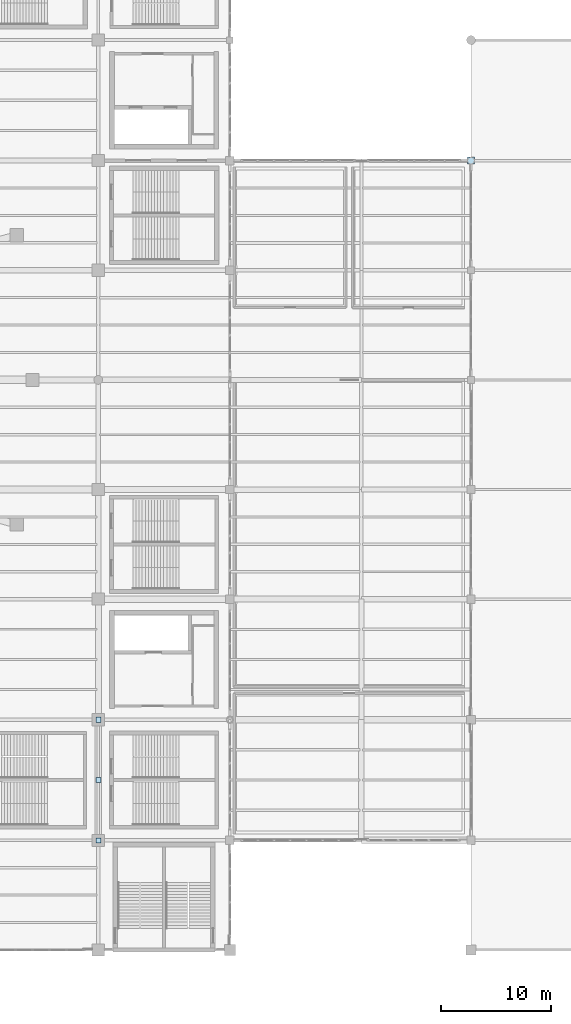
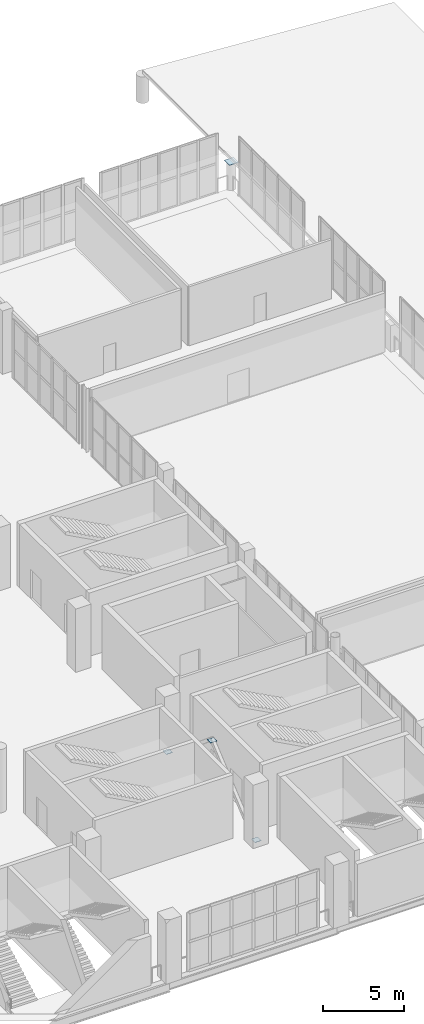
# One storey, part 106 of 136: 4 plates.
"""IFC4 building model written with IfcOpenShell, lengths in metres."""

from ifc_helpers import new_model, si_unit, direction, frame, origin, origin_2d, place, context, subcontext, project, spatial, rectangle, extrude, material, layer, layer_set, type_object, element, save


model = new_model("IFC4")

# Units and contexts
model_context = context("Model", 3, precision=1e-05, world=origin(), true_north=direction((0.0, 1.0)))
body_context = subcontext(model_context, "Body", "Model", "MODEL_VIEW")
ifc_project = project(units=[si_unit("LENGTHUNIT", "METRE"), si_unit("AREAUNIT", "SQUARE_METRE"), si_unit("VOLUMEUNIT", "CUBIC_METRE"), si_unit("PLANEANGLEUNIT", "RADIAN"), si_unit("MASSUNIT", "GRAM", prefix="KILO")], contexts=[model_context])

# Site, building, storey
site_placement = place(None, origin())
site = spatial("IfcSite", under=ifc_project, at=site_placement, CompositionType="ELEMENT")
building_placement = place(site_placement, origin())
building = spatial("IfcBuilding", under=site, at=building_placement, Name="Brinegate Civic Arena", CompositionType="ELEMENT")
storey_placement = place(building_placement, frame((0.0, 0.0, 5.39990234375)))
storey = spatial("IfcBuildingStorey", under=building, at=storey_placement, Name="L01", CompositionType="ELEMENT", Elevation=5.39990234375)

# Plates
ifc_material = material(Name="Steel S355", Category="steel")
ifc_layer_1 = layer(ifc_material, 0.02587890625, Name="Steel S355")
ifc_layer_set_1 = layer_set([ifc_layer_1], Name="Steel S355")
plate_type_1 = type_object("IfcPlateType", Name="PLATE-BASE-640X26", PredefinedType="SHEET", material=ifc_layer_set_1)
plate_placement = place(storey_placement, frame((190.0, 82.0, 1.9970703125), z_axis=(0.0, 0.0, 1.0), x_axis=(1.0, 0.0, 0.0)))
element("IfcPlate", 1, at=plate_placement, inside=storey, type_object=plate_type_1, Name="Welded Steel Column Node Cap Plate CPL-TOP-029", PredefinedType="SHEET", context=body_context, shape_type="SweptSolid", body=[
    extrude(rectangle(XDim=0.639892578125, YDim=0.639892578125, at=origin_2d()), origin(), (0.0, 0.0, 1.0), 0.02587890625),
])
ifc_layer_2 = layer(ifc_material, 0.01806640625, Name="Steel S355")
ifc_layer_set_2 = layer_set([ifc_layer_2], Name="Steel S355")
plate_type_2 = type_object("IfcPlateType", Name="PLATE-GUSSET-460X18", PredefinedType="SHEET", material=ifc_layer_set_2)
for number, where, z_axis, x_axis, name in (
    (2, (156.0, 25.5, 4.341064453125), (0.0, 0.0, 1.0), (1.0, 0.0, 0.0), "Chevron Gusset Plate GPL-08"),
    (3, (156.0, 20.0, 0.14111328125), (0.0, 0.0, 1.0), (1.0, 0.0, 0.0), "Chevron Base Gusset Plate GPL-08-BA"),
    (4, (156.0, 31.0, 0.14111328125), (0.0, 0.0, 1.0), (1.0, 0.0, 0.0), "Chevron Base Gusset Plate GPL-08-BB"),
):
    element("IfcPlate", number, at=place(storey_placement, frame(where, z_axis=z_axis, x_axis=x_axis)), inside=storey, type_object=plate_type_2, Name=name, PredefinedType="SHEET", context=body_context, shape_type="SweptSolid", body=[
        extrude(rectangle(XDim=0.4599609375, YDim=0.4599609375, at=origin_2d()), origin(), (0.0, 0.0, 1.0), 0.01806640625),
    ])

save(model, "model.ifc")
